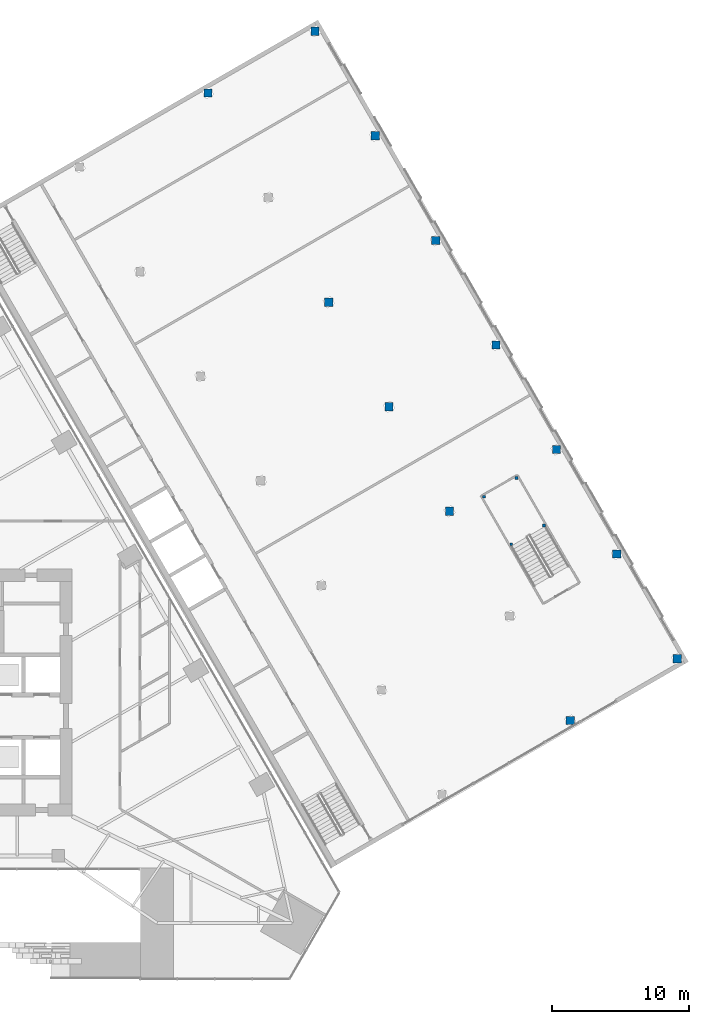
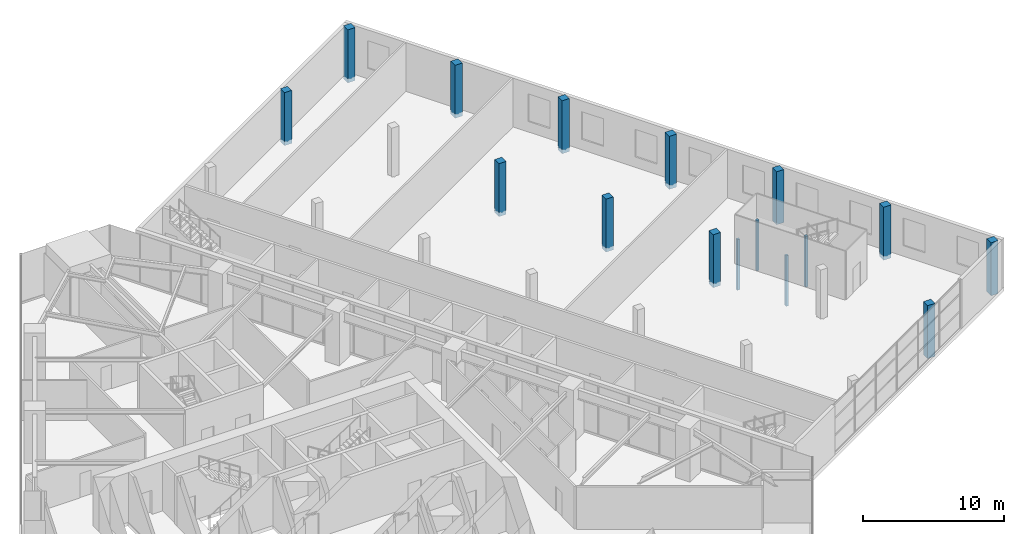
# One storey, part 2 of 29: 16 columns.
"""IFC4 building model written with IfcOpenShell, lengths in metres."""

from ifc_helpers import new_model, si_unit, direction, frame, origin, origin_2d, place, context, subcontext, project, spatial, rectangle, extrude, material, material_profile, profile_set, type_object, element, save


model = new_model("IFC4")

# Units and contexts
model_context = context("Model", 3, precision=1e-05, world=origin(), true_north=direction((0.0, 1.0)))
body_context = subcontext(model_context, "Body", "Model", "MODEL_VIEW")
ifc_project = project(units=[si_unit("LENGTHUNIT", "METRE"), si_unit("AREAUNIT", "SQUARE_METRE"), si_unit("VOLUMEUNIT", "CUBIC_METRE"), si_unit("PLANEANGLEUNIT", "RADIAN"), si_unit("MASSUNIT", "GRAM", prefix="KILO")], contexts=[model_context])

# Site, building, storey
site_placement = place(None, origin())
site = spatial("IfcSite", under=ifc_project, at=site_placement, CompositionType="ELEMENT")
building_placement = place(site_placement, origin())
building = spatial("IfcBuilding", under=site, at=building_placement, Name="Firuza Gate Tower and Library", CompositionType="ELEMENT")
storey_placement = place(building_placement, frame((0.0, 0.0, 17.199951171875)))
storey = spatial("IfcBuildingStorey", under=building, at=storey_placement, Name="L03", CompositionType="ELEMENT", Elevation=17.199951171875)

# Columns
ifc_material_1 = material(Name="Concrete C40/50", Category="concrete")
ifc_material_profile_1 = material_profile(ifc_material_1, rectangle(XDim=0.60009765625, YDim=0.60009765625, at=origin_2d()))
ifc_profile_set_1 = profile_set([ifc_material_profile_1], Name="Concrete C40/50")
column_type_1 = type_object("IfcColumnType", Name="LIB COLUMN 600", PredefinedType="COLUMN", material=ifc_profile_set_1)
for number, where, z_axis, x_axis, name in (
    (1, (124.2998046875, 72.979248046875, -0.35986328125), (0.0, 0.0, 1.0), (1.0, 0.0, 0.0), "Library column 1B"),
    (2, (132.09423828125, 77.479248046875, -0.35986328125), (0.0, 0.0, 1.0), (1.0, 0.0, 0.0), "Library column 1C"),
    (3, (127.694091796875, 85.100341796875, -0.35986328125), (0.0, 0.0, 1.0), (1.0, 0.0, 0.0), "Library column 2C"),
    (4, (115.5, 88.22119140625, -0.35986328125), (0.0, 0.0, 1.0), (1.0, 0.0, 0.0), "Library column 3B"),
    (5, (123.294189453125, 92.72119140625, -0.35986328125), (0.0, 0.0, 1.0), (1.0, 0.0, 0.0), "Library column 3C"),
    (6, (111.099853515625, 95.84228515625, -0.35986328125), (0.0, 0.0, 1.0), (1.0, 0.0, 0.0), "Library column 4B"),
    (7, (118.894287109375, 100.34228515625, -0.35986328125), (0.0, 0.0, 1.0), (1.0, 0.0, 0.0), "Library column 4C"),
    (8, (106.699951171875, 103.46337890625, -0.35986328125), (0.0, 0.0, 1.0), (1.0, 0.0, 0.0), "Library column 5B"),
    (9, (114.494140625, 107.96337890625, -0.35986328125), (0.0, 0.0, 1.0), (1.0, 0.0, 0.0), "Library column 5C"),
    (10, (110.09423828125, 115.58447265625, -0.35986328125), (0.0, 0.0, 1.0), (1.0, 0.0, 0.0), "Library column 6C"),
    (11, (97.89990234375, 118.705322265625, -0.35986328125), (0.0, 0.0, 1.0), (1.0, 0.0, 0.0), "Library column 7B"),
    (12, (105.694091796875, 123.205322265625, -0.35986328125), (0.0, 0.0, 1.0), (1.0, 0.0, 0.0), "Library column 7C"),
):
    element("IfcColumn", number, at=place(storey_placement, frame(where, z_axis=z_axis, x_axis=x_axis)), inside=storey, type_object=column_type_1, Name=name, PredefinedType="COLUMN", context=body_context, shape_type="SweptSolid", body=[
        extrude(rectangle(XDim=0.60009765625, YDim=0.60009765625, at=origin_2d()), origin(), (0.0, 0.0, 1.0), 4.599853515625),
    ])
ifc_material_2 = material(Name="Concrete C40/50", Category="concrete")
ifc_material_profile_2 = material_profile(ifc_material_2, rectangle(XDim=0.199951171875, YDim=0.199951171875, at=origin_2d()))
ifc_profile_set_2 = profile_set([ifc_material_profile_2], Name="Concrete C40/50")
column_type_2 = type_object("IfcColumnType", Name="LIB STAIR POST 200", PredefinedType="COLUMN", material=ifc_profile_set_2)
for number, where, z_axis, x_axis, name in (
    (13, (122.389892578125, 87.187744140625, -2.300048828125), (0.0, 0.0, 1.0), (1.0, 0.0, 0.0), "LIB-ST-C landing post L03"),
    (14, (120.00830078125, 85.812744140625, -2.300048828125), (0.0, 0.0, 1.0), (1.0, 0.0, 0.0), "LIB-ST-C landing post L03"),
    (15, (120.389892578125, 90.65185546875, -2.300048828125), (0.0, 0.0, 1.0), (1.0, 0.0, 0.0), "LIB-ST-C landing post L03"),
    (16, (118.00830078125, 89.27685546875, -2.300048828125), (0.0, 0.0, 1.0), (1.0, 0.0, 0.0), "LIB-ST-C landing post L03"),
):
    element("IfcColumn", number, at=place(storey_placement, frame(where, z_axis=z_axis, x_axis=x_axis)), inside=storey, type_object=column_type_2, Name=name, PredefinedType="COLUMN", context=body_context, shape_type="SweptSolid", body=[
        extrude(rectangle(XDim=0.199951171875, YDim=0.199951171875, at=origin_2d()), origin(), (0.0, 0.0, 1.0), 4.400146484375),
    ])

save(model, "model.ifc")
